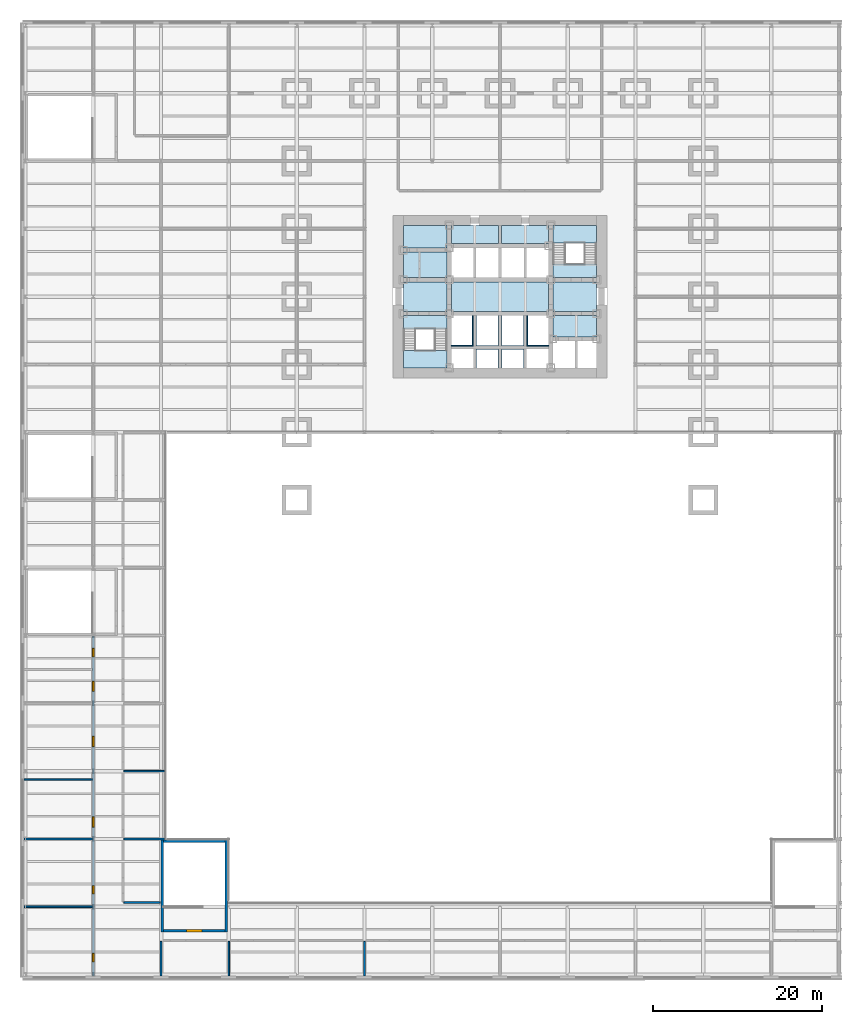
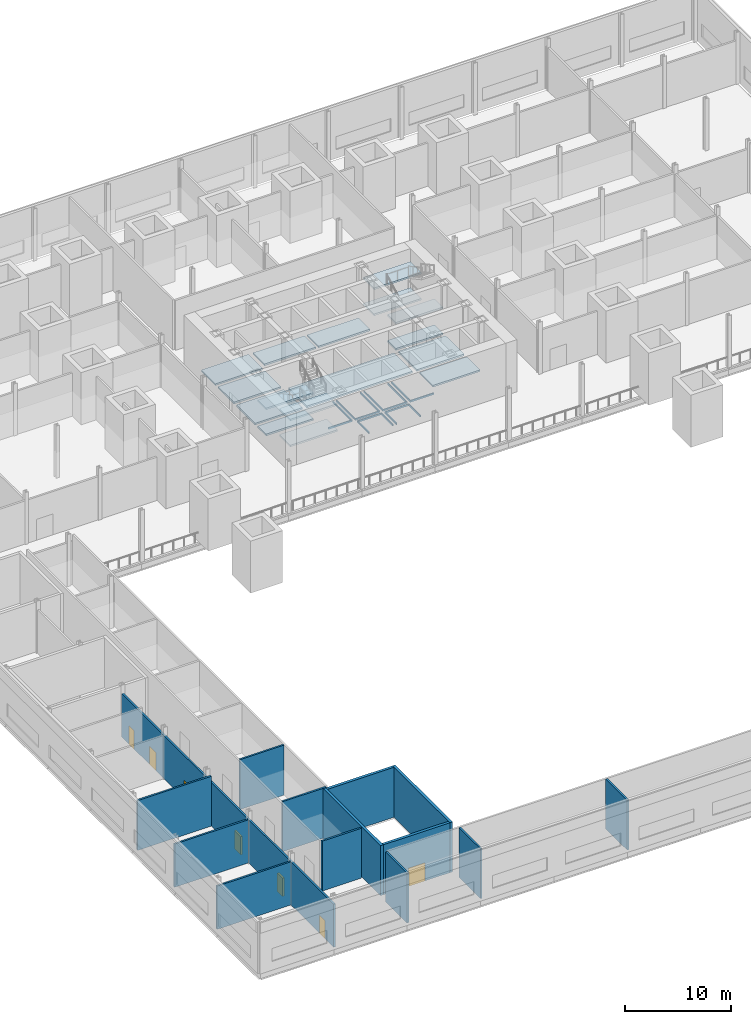
# One storey, part 10 of 21: 22 slabs, 14 walls, 7 doors, 7 openings, 2 elements without a shape of their own.
"""IFC4 building model written with IfcOpenShell, lengths in metres."""

from ifc_helpers import new_model, si_unit, direction, frame, frame_2d, origin, place, context, subcontext, project, spatial, polyline, rectangle, outline, extrude, material, layer, layer_set, type_object, element, fill, aggregate, save


model = new_model("IFC4")

# Units and contexts
model_context = context("Model", 3, precision=1e-05, world=origin(), true_north=direction((0.0, 1.0)))
body_context = subcontext(model_context, "Body", "Model", "MODEL_VIEW")
ifc_project = project(units=[si_unit("LENGTHUNIT", "METRE"), si_unit("AREAUNIT", "SQUARE_METRE"), si_unit("VOLUMEUNIT", "CUBIC_METRE"), si_unit("PLANEANGLEUNIT", "RADIAN"), si_unit("MASSUNIT", "GRAM", prefix="KILO")], contexts=[model_context])

# Site, building, storey
site_placement = place(None, origin())
site = spatial("IfcSite", under=ifc_project, at=site_placement, CompositionType="ELEMENT")
building_placement = place(site_placement, origin())
building = spatial("IfcBuilding", under=site, at=building_placement, Name="Daluyong Arena Tower", CompositionType="ELEMENT")
storey_placement = place(building_placement, frame((0.0, 0.0, 19.89990234375)))
storey = spatial("IfcBuildingStorey", under=building, at=storey_placement, Name="L04", CompositionType="ELEMENT", Elevation=19.89990234375)

# Slabs
ifc_material_1 = material(Name="Concrete fc' 35 MPa", Category="concrete")
ifc_layer_1 = layer(ifc_material_1, 0.199951171875)
ifc_layer_set_1 = layer_set([ifc_layer_1], Name="Concrete fc' 35 MPa")
slab_type_1 = type_object("IfcSlabType", Name="Podium floor slab 200", PredefinedType="FLOOR", material=ifc_layer_set_1)
slab_1_placement = place(storey_placement, frame((0.0, 0.0, -0.199951171875)))
element("IfcSlab", 1, at=slab_1_placement, inside=storey, type_object=slab_type_1, Name="podium floor L04 part 1", PredefinedType="FLOOR", context=body_context, shape_type="SweptSolid", body=[
    extrude(outline(polyline([(49.75, 76.175048828125), (49.75, 77.75), (44.60009765625, 77.75), (44.60009765625, 76.175048828125), (49.75, 76.175048828125)])), origin(), (0.0, 0.0, 1.0), 0.199951171875),
])
slab_2_placement = place(storey_placement, frame((0.0, 0.0, -0.199951171875)))
element("IfcSlab", 2, at=slab_2_placement, inside=storey, type_object=slab_type_1, Name="podium floor L04 part 2", PredefinedType="FLOOR", context=body_context, shape_type="SweptSolid", body=[
    extrude(outline(polyline([(49.75, 78.25), (49.75, 81.75), (44.60009765625, 81.75), (44.60009765625, 78.25), (49.75, 78.25)])), origin(), (0.0, 0.0, 1.0), 0.199951171875),
])
slab_3_placement = place(storey_placement, frame((0.0, 0.0, -0.199951171875)))
element("IfcSlab", 3, at=slab_3_placement, inside=storey, type_object=slab_type_1, Name="podium floor L04 part 3", PredefinedType="FLOOR", context=body_context, shape_type="SweptSolid", body=[
    extrude(outline(polyline([(49.75, 82.25), (49.75, 85.25), (44.60009765625, 85.25), (44.60009765625, 82.25), (49.75, 82.25)])), origin(), (0.0, 0.0, 1.0), 0.199951171875),
])
slab_4_placement = place(storey_placement, frame((0.0, 0.0, -0.199951171875)))
element("IfcSlab", 4, at=slab_4_placement, inside=storey, type_object=slab_type_1, Name="podium floor L04 part 4", PredefinedType="FLOOR", context=body_context, shape_type="SweptSolid", body=[
    extrude(outline(polyline([(44.60009765625, 88.39990234375), (44.60009765625, 85.75), (49.75, 85.75), (49.75, 88.39990234375), (44.60009765625, 88.39990234375)])), origin(), (0.0, 0.0, 1.0), 0.199951171875),
])
slab_5_placement = place(storey_placement, frame((0.0, 0.0, -0.199951171875)))
element("IfcSlab", 5, at=slab_5_placement, inside=storey, type_object=slab_type_1, Name="podium floor L04 part 5", PredefinedType="FLOOR", context=body_context, shape_type="SweptSolid", body=[
    extrude(outline(polyline([(50.25, 74.25), (50.25, 74.14990234375), (52.85009765625, 74.14990234375), (52.85009765625, 77.75), (52.75, 77.75), (52.75, 74.25), (50.25, 74.25)])), origin(), (0.0, 0.0, 1.0), 0.199951171875),
])
slab_6_placement = place(storey_placement, frame((0.0, 0.0, -0.199951171875)))
element("IfcSlab", 6, at=slab_6_placement, inside=storey, type_object=slab_type_1, Name="podium floor L04 part 6", PredefinedType="FLOOR", context=body_context, shape_type="SweptSolid", body=[
    extrude(outline(polyline([(50.25, 88.39990234375), (50.25, 86.25), (55.85009765625, 86.25), (55.85009765625, 88.39990234375), (50.25, 88.39990234375)])), origin(), (0.0, 0.0, 1.0), 0.199951171875),
])
slab_7_placement = place(storey_placement, frame((0.0, 0.0, -0.199951171875)))
element("IfcSlab", 7, at=slab_7_placement, inside=storey, type_object=slab_type_1, Name="podium floor L04 part 7", PredefinedType="FLOOR", context=body_context, shape_type="SweptSolid", body=[
    extrude(outline(polyline([(53.25, 73.75), (55.75, 73.75), (55.75, 71.60009765625), (55.85009765625, 71.60009765625), (55.85009765625, 73.85009765625), (53.14990234375, 73.85009765625), (53.14990234375, 71.60009765625), (53.25, 71.60009765625), (53.25, 73.75)])), origin(), (0.0, 0.0, 1.0), 0.199951171875),
])
slab_8_placement = place(storey_placement, frame((0.0, 0.0, -0.199951171875)))
element("IfcSlab", 8, at=slab_8_placement, inside=storey, type_object=slab_type_1, Name="podium floor L04 part 8", PredefinedType="FLOOR", context=body_context, shape_type="SweptSolid", body=[
    extrude(outline(polyline([(53.25, 74.25), (53.25, 77.75), (53.14990234375, 77.75), (53.14990234375, 74.14990234375), (55.85009765625, 74.14990234375), (55.85009765625, 77.75), (55.75, 77.75), (55.75, 74.25), (53.25, 74.25)])), origin(), (0.0, 0.0, 1.0), 0.199951171875),
])
slab_9_placement = place(storey_placement, frame((0.0, 0.0, -0.199951171875)))
element("IfcSlab", 9, at=slab_9_placement, inside=storey, type_object=slab_type_1, Name="podium floor L04 part 10", PredefinedType="FLOOR", context=body_context, shape_type="SweptSolid", body=[
    extrude(outline(polyline([(61.75, 81.75), (50.25, 81.75), (50.25, 78.25), (61.75, 78.25), (61.75, 81.75)])), origin(), (0.0, 0.0, 1.0), 0.199951171875),
])
slab_10_placement = place(storey_placement, frame((0.0, 0.0, -0.199951171875)))
element("IfcSlab", 10, at=slab_10_placement, inside=storey, type_object=slab_type_1, Name="podium floor L04 part 11", PredefinedType="FLOOR", context=body_context, shape_type="SweptSolid", body=[
    extrude(outline(polyline([(58.85009765625, 73.85009765625), (56.14990234375, 73.85009765625), (56.14990234375, 71.60009765625), (56.25, 71.60009765625), (56.25, 73.75), (58.75, 73.75), (58.75, 71.60009765625), (58.85009765625, 71.60009765625), (58.85009765625, 73.85009765625)])), origin(), (0.0, 0.0, 1.0), 0.199951171875),
])
slab_11_placement = place(storey_placement, frame((0.0, 0.0, -0.199951171875)))
element("IfcSlab", 11, at=slab_11_placement, inside=storey, type_object=slab_type_1, Name="podium floor L04 part 12", PredefinedType="FLOOR", context=body_context, shape_type="SweptSolid", body=[
    extrude(outline(polyline([(56.25, 74.25), (56.25, 77.75), (56.14990234375, 77.75), (56.14990234375, 74.14990234375), (58.85009765625, 74.14990234375), (58.85009765625, 77.75), (58.75, 77.75), (58.75, 74.25), (56.25, 74.25)])), origin(), (0.0, 0.0, 1.0), 0.199951171875),
])
slab_12_placement = place(storey_placement, frame((0.0, 0.0, -0.199951171875)))
element("IfcSlab", 12, at=slab_12_placement, inside=storey, type_object=slab_type_1, Name="podium floor L04 part 13", PredefinedType="FLOOR", context=body_context, shape_type="SweptSolid", body=[
    extrude(outline(polyline([(56.14990234375, 86.25), (61.75, 86.25), (61.75, 88.39990234375), (56.14990234375, 88.39990234375), (56.14990234375, 86.25)])), origin(), (0.0, 0.0, 1.0), 0.199951171875),
])
slab_13_placement = place(storey_placement, frame((0.0, 0.0, -0.199951171875)))
element("IfcSlab", 13, at=slab_13_placement, inside=storey, type_object=slab_type_1, Name="podium floor L04 part 14", PredefinedType="FLOOR", context=body_context, shape_type="SweptSolid", body=[
    extrude(outline(polyline([(59.14990234375, 74.14990234375), (61.75, 74.14990234375), (61.75, 74.25), (59.25, 74.25), (59.25, 77.75), (59.14990234375, 77.75), (59.14990234375, 74.14990234375)])), origin(), (0.0, 0.0, 1.0), 0.199951171875),
])
slab_14_placement = place(storey_placement, frame((0.0, 0.0, -0.199951171875)))
element("IfcSlab", 14, at=slab_14_placement, inside=storey, type_object=slab_type_1, Name="podium floor L04 part 15", PredefinedType="FLOOR", context=body_context, shape_type="SweptSolid", body=[
    extrude(outline(polyline([(67.39990234375, 82.25), (67.39990234375, 83.824951171875), (62.25, 83.824951171875), (62.25, 82.25), (67.39990234375, 82.25)])), origin(), (0.0, 0.0, 1.0), 0.199951171875),
])
slab_15_placement = place(storey_placement, frame((0.0, 0.0, -0.199951171875)))
element("IfcSlab", 15, at=slab_15_placement, inside=storey, type_object=slab_type_1, Name="podium floor L04 part 16", PredefinedType="FLOOR", context=body_context, shape_type="SweptSolid", body=[
    extrude(outline(polyline([(67.39990234375, 75.25), (67.39990234375, 77.75), (62.25, 77.75), (62.25, 75.25), (67.39990234375, 75.25)])), origin(), (0.0, 0.0, 1.0), 0.199951171875),
])
slab_16_placement = place(storey_placement, frame((0.0, 0.0, -0.199951171875)))
element("IfcSlab", 16, at=slab_16_placement, inside=storey, type_object=slab_type_1, Name="podium floor L04 part 17", PredefinedType="FLOOR", context=body_context, shape_type="SweptSolid", body=[
    extrude(outline(polyline([(67.39990234375, 78.25), (67.39990234375, 81.75), (62.25, 81.75), (62.25, 78.25), (67.39990234375, 78.25)])), origin(), (0.0, 0.0, 1.0), 0.199951171875),
])

# Stair, slabs
ifc_material_2 = material(Name="Concrete fc' 35 MPa", Category="concrete")
stair_type = type_object("IfcStairType", Name="Core exit stair", PredefinedType="HALF_TURN_STAIR", material=ifc_material_2)
stair_1_placement = place(storey_placement, origin())
stair_1 = element("IfcStair", 17, at=stair_1_placement, inside=storey, type_object=stair_type, Name="exit stair A L04", PredefinedType="HALF_TURN_STAIR")
ifc_material_3 = material(Name="Concrete fc' 35 MPa", Category="concrete")
ifc_layer_2 = layer(ifc_material_3, 0.199951171875)
ifc_layer_set_2 = layer_set([ifc_layer_2], Name="Concrete fc' 35 MPa")
slab_type_2 = type_object("IfcSlabType", Name="Stair landing 200", PredefinedType="LANDING", material=ifc_layer_set_2)
slab_17_placement = place(storey_placement, frame((0.0, 0.0, 1.300048828125)))
slab_17 = element("IfcSlab", 18, at=slab_17_placement, type_object=slab_type_2, Name="STA landing 1", PredefinedType="LANDING", context=body_context, shape_type="SweptSolid", body=[
    extrude(outline(polyline([(44.60009765625, 71.60009765625), (49.75, 71.60009765625), (49.75, 73.655029296875), (44.60009765625, 73.655029296875), (44.60009765625, 71.60009765625)])), origin(), (0.0, 0.0, 1.0), 0.199951171875),
])
slab_18_placement = place(storey_placement, frame((0.0, 0.0, 2.800048828125)))
slab_18 = element("IfcSlab", 19, at=slab_18_placement, type_object=slab_type_2, Name="STA landing 2", PredefinedType="LANDING", context=body_context, shape_type="SweptSolid", body=[
    extrude(outline(polyline([(44.60009765625, 76.175048828125), (49.75, 76.175048828125), (49.75, 77.75), (44.60009765625, 77.75), (44.60009765625, 76.175048828125)])), origin(), (0.0, 0.0, 1.0), 0.199951171875),
])
slab_19_placement = place(storey_placement, frame((0.0, 0.0, 4.300048828125)))
slab_19 = element("IfcSlab", 20, at=slab_19_placement, type_object=slab_type_2, Name="STA landing 3", PredefinedType="LANDING", context=body_context, shape_type="SweptSolid", body=[
    extrude(outline(polyline([(44.60009765625, 71.60009765625), (49.75, 71.60009765625), (49.75, 73.655029296875), (44.60009765625, 73.655029296875), (44.60009765625, 71.60009765625)])), origin(), (0.0, 0.0, 1.0), 0.199951171875),
])
aggregate(stair_1, [slab_17, slab_18, slab_19])

stair_2_placement = place(storey_placement, origin())
stair_2 = element("IfcStair", 21, at=stair_2_placement, inside=storey, type_object=stair_type, Name="exit stair B L04", PredefinedType="HALF_TURN_STAIR")
slab_20_placement = place(storey_placement, frame((0.0, 0.0, 1.300048828125)))
slab_20 = element("IfcSlab", 22, at=slab_20_placement, type_object=slab_type_2, Name="STB landing 1", PredefinedType="LANDING", context=body_context, shape_type="SweptSolid", body=[
    extrude(outline(polyline([(62.25, 86.344970703125), (67.39990234375, 86.344970703125), (67.39990234375, 88.39990234375), (62.25, 88.39990234375), (62.25, 86.344970703125)])), origin(), (0.0, 0.0, 1.0), 0.199951171875),
])
slab_21_placement = place(storey_placement, frame((0.0, 0.0, 2.800048828125)))
slab_21 = element("IfcSlab", 23, at=slab_21_placement, type_object=slab_type_2, Name="STB landing 2", PredefinedType="LANDING", context=body_context, shape_type="SweptSolid", body=[
    extrude(outline(polyline([(62.25, 82.25), (67.39990234375, 82.25), (67.39990234375, 83.824951171875), (62.25, 83.824951171875), (62.25, 82.25)])), origin(), (0.0, 0.0, 1.0), 0.199951171875),
])
slab_22_placement = place(storey_placement, frame((0.0, 0.0, 4.300048828125)))
slab_22 = element("IfcSlab", 24, at=slab_22_placement, type_object=slab_type_2, Name="STB landing 3", PredefinedType="LANDING", context=body_context, shape_type="SweptSolid", body=[
    extrude(outline(polyline([(62.25, 86.344970703125), (67.39990234375, 86.344970703125), (67.39990234375, 88.39990234375), (62.25, 88.39990234375), (62.25, 86.344970703125)])), origin(), (0.0, 0.0, 1.0), 0.199951171875),
])
aggregate(stair_2, [slab_20, slab_21, slab_22])

# Walls
ifc_material_4 = material(Name="Concrete block partition", Category="concrete")
ifc_layer_3 = layer(ifc_material_4, 0.199951171875)
ifc_layer_set_3 = layer_set([ifc_layer_3], Name="Concrete block partition")
wall_type_1 = type_object("IfcWallType", Name="Partition 200", PredefinedType="PARTITIONING", material=ifc_layer_set_3)
wall_1_placement = place(storey_placement, frame((-0.14990234375, 8.0, 0.0), z_axis=(0.0, 0.0, 1.0), x_axis=(1.0, 0.0, 0.0)))
element("IfcWall", 25, at=wall_1_placement, inside=storey, type_object=wall_type_1, Name="partition at L04", PredefinedType="PARTITIONING", context=body_context, shape_type="SweptSolid", body=[
    extrude(rectangle(XDim=8.0498046875, YDim=0.199951171875, at=frame_2d((4.02490234375, 0.0))), origin(), (0.0, 0.0, 1.0), 4.977783203125),
])
wall_2_placement = place(storey_placement, frame((11.60009765625, 8.5, 0.0), z_axis=(0.0, 0.0, 1.0), x_axis=(1.0, 0.0, 0.0)))
element("IfcWall", 26, at=wall_2_placement, inside=storey, type_object=wall_type_1, Name="partition at L04", PredefinedType="PARTITIONING", context=body_context, shape_type="SweptSolid", body=[
    extrude(rectangle(XDim=4.2998046875, YDim=0.199951171875, at=frame_2d((2.14990234375, 0.0))), origin(), (0.0, 0.0, 1.0), 5.75),
])
wall_3_placement = place(storey_placement, frame((-0.14990234375, 16.0, 0.0), z_axis=(0.0, 0.0, 1.0), x_axis=(1.0, 0.0, 0.0)))
element("IfcWall", 27, at=wall_3_placement, inside=storey, type_object=wall_type_1, Name="partition at L04", PredefinedType="PARTITIONING", context=body_context, shape_type="SweptSolid", body=[
    extrude(rectangle(XDim=8.0498046875, YDim=0.199951171875, at=frame_2d((4.02490234375, 0.0))), origin(), (0.0, 0.0, 1.0), 4.977783203125),
])
wall_4_placement = place(storey_placement, frame((11.60009765625, 16.0, 0.0), z_axis=(0.0, 0.0, 1.0), x_axis=(1.0, 0.0, 0.0)))
element("IfcWall", 28, at=wall_4_placement, inside=storey, type_object=wall_type_1, Name="partition at L04", PredefinedType="PARTITIONING", context=body_context, shape_type="SweptSolid", body=[
    extrude(rectangle(XDim=4.7998046875, YDim=0.199951171875, at=frame_2d((2.39990234375, 0.0))), origin(), (0.0, 0.0, 1.0), 5.75),
])
wall_5_placement = place(storey_placement, frame((-0.14990234375, 23.0, 0.0), z_axis=(0.0, 0.0, 1.0), x_axis=(1.0, 0.0, 0.0)))
element("IfcWall", 29, at=wall_5_placement, inside=storey, type_object=wall_type_1, Name="partition at L04", PredefinedType="PARTITIONING", context=body_context, shape_type="SweptSolid", body=[
    extrude(rectangle(XDim=8.0498046875, YDim=0.199951171875, at=frame_2d((4.02490234375, 0.0))), origin(), (0.0, 0.0, 1.0), 5.75),
])
wall_6_placement = place(storey_placement, frame((11.60009765625, 24.0, 0.0), z_axis=(0.0, 0.0, 1.0), x_axis=(1.0, 0.0, 0.0)))
element("IfcWall", 30, at=wall_6_placement, inside=storey, type_object=wall_type_1, Name="partition at L04", PredefinedType="PARTITIONING", context=body_context, shape_type="SweptSolid", body=[
    extrude(rectangle(XDim=4.7998046875, YDim=0.199951171875, at=frame_2d((2.39990234375, 0.0))), origin(), (0.0, 0.0, 1.0), 5.75),
])

# Wall, openings, doors
wall_7_placement = place(storey_placement, frame((8.0, -0.14990234375, 0.0), z_axis=(0.0, 0.0, 1.0), x_axis=(0.0, 1.0, 0.0)))
wall_7 = element("IfcWall", 31, at=wall_7_placement, inside=storey, type_object=wall_type_1, Name="partition at L04", PredefinedType="PARTITIONING", context=body_context, shape_type="SweptSolid", body=[
    extrude(rectangle(XDim=40.0498046875, YDim=0.199951171875, at=frame_2d((20.02490234375, 0.0))), origin(), (0.0, 0.0, 1.0), 4.977783203125),
])
opening_1_placement = place(wall_7_placement, frame((17.550048828125, 0.0, 0.0)))
opening_1 = element("IfcOpeningElement", 32, at=opening_1_placement, cuts=wall_7, Name="Opening 04023", PredefinedType="OPENING", context=body_context, shape_type="SweptSolid", body=[
    extrude(rectangle(XDim=1.199951171875, YDim=2.10009765625, at=frame_2d((0.60009765625, 1.050048828125))), frame((0.0, 0.10986328125, 0.0), z_axis=(0.0, -1.0, 0.0), x_axis=(1.0, 0.0, 0.0)), (0.0, 0.0, 1.0), 0.219970703125),
])
opening_2_placement = place(wall_7_placement, frame((27.050048828125, 0.0, 0.0)))
opening_2 = element("IfcOpeningElement", 33, at=opening_2_placement, cuts=wall_7, Name="Opening 04024", PredefinedType="OPENING", context=body_context, shape_type="SweptSolid", body=[
    extrude(rectangle(XDim=1.199951171875, YDim=2.10009765625, at=frame_2d((0.60009765625, 1.050048828125))), frame((0.0, 0.10986328125, 0.0), z_axis=(0.0, -1.0, 0.0), x_axis=(1.0, 0.0, 0.0)), (0.0, 0.0, 1.0), 0.219970703125),
])
opening_3_placement = place(wall_7_placement, frame((33.550048828125, 0.0, 0.0)))
opening_3 = element("IfcOpeningElement", 34, at=opening_3_placement, cuts=wall_7, Name="Opening 04025", PredefinedType="OPENING", context=body_context, shape_type="SweptSolid", body=[
    extrude(rectangle(XDim=1.199951171875, YDim=2.10009765625, at=frame_2d((0.60009765625, 1.050048828125))), frame((0.0, 0.10986328125, 0.0), z_axis=(0.0, -1.0, 0.0), x_axis=(1.0, 0.0, 0.0)), (0.0, 0.0, 1.0), 0.219970703125),
])
opening_4_placement = place(wall_7_placement, frame((1.64990234375, 0.0, 0.0)))
opening_4 = element("IfcOpeningElement", 35, at=opening_4_placement, cuts=wall_7, Name="Opening 04029", PredefinedType="OPENING", context=body_context, shape_type="SweptSolid", body=[
    extrude(rectangle(XDim=1.0, YDim=2.10009765625, at=frame_2d((0.5, 1.050048828125))), frame((0.0, 0.10986328125, 0.0), z_axis=(0.0, -1.0, 0.0), x_axis=(1.0, 0.0, 0.0)), (0.0, 0.0, 1.0), 0.219970703125),
])
opening_5_placement = place(wall_7_placement, frame((9.64990234375, 0.0, 0.0)))
opening_5 = element("IfcOpeningElement", 36, at=opening_5_placement, cuts=wall_7, Name="Opening 04039", PredefinedType="OPENING", context=body_context, shape_type="SweptSolid", body=[
    extrude(rectangle(XDim=1.0, YDim=2.10009765625, at=frame_2d((0.5, 1.050048828125))), frame((0.0, 0.10986328125, 0.0), z_axis=(0.0, -1.0, 0.0), x_axis=(1.0, 0.0, 0.0)), (0.0, 0.0, 1.0), 0.219970703125),
])
opening_6_placement = place(wall_7_placement, frame((37.64990234375, 0.0, 0.0)))
opening_6 = element("IfcOpeningElement", 37, at=opening_6_placement, cuts=wall_7, Name="Opening 04041", PredefinedType="OPENING", context=body_context, shape_type="SweptSolid", body=[
    extrude(rectangle(XDim=1.0, YDim=2.10009765625, at=frame_2d((0.5, 1.050048828125))), frame((0.0, 0.10986328125, 0.0), z_axis=(0.0, -1.0, 0.0), x_axis=(1.0, 0.0, 0.0)), (0.0, 0.0, 1.0), 0.219970703125),
])
ifc_material_5 = material(Name="Timber door", Category="wood")
door_type_1 = type_object("IfcDoorType", Name="Room door 1000", OperationType="SINGLE_SWING_LEFT", PredefinedType="DOOR", material=ifc_material_5)
door_1_placement = place(opening_4_placement, origin())
door_1 = element("IfcDoor", 38, at=door_1_placement, inside=storey, type_object=door_type_1, Name="food and beverage kiosk door 04029", OperationType="SINGLE_SWING_LEFT", OverallHeight=2.10009765625, OverallWidth=1.0, PredefinedType="DOOR", context=body_context, shape_type="SweptSolid", body=[
    extrude(rectangle(XDim=1.0, YDim=2.10009765625, at=frame_2d((0.5, 1.050048828125))), frame((0.0, 0.099609375, 0.0), z_axis=(0.0, -1.0, 0.0), x_axis=(1.0, 0.0, 0.0)), (0.0, 0.0, 1.0), 0.199462890625),
])
fill(opening_4, door_1)
door_2_placement = place(opening_5_placement, origin())
door_2 = element("IfcDoor", 39, at=door_2_placement, inside=storey, type_object=door_type_1, Name="food and beverage kiosk door 04039", OperationType="SINGLE_SWING_LEFT", OverallHeight=2.10009765625, OverallWidth=1.0, PredefinedType="DOOR", context=body_context, shape_type="SweptSolid", body=[
    extrude(rectangle(XDim=1.0, YDim=2.10009765625, at=frame_2d((0.5, 1.050048828125))), frame((0.0, 0.099609375, 0.0), z_axis=(0.0, -1.0, 0.0), x_axis=(1.0, 0.0, 0.0)), (0.0, 0.0, 1.0), 0.199462890625),
])
fill(opening_5, door_2)
door_3_placement = place(opening_6_placement, origin())
door_3 = element("IfcDoor", 40, at=door_3_placement, inside=storey, type_object=door_type_1, Name="food and beverage kiosk door 04041", OperationType="SINGLE_SWING_LEFT", OverallHeight=2.10009765625, OverallWidth=1.0, PredefinedType="DOOR", context=body_context, shape_type="SweptSolid", body=[
    extrude(rectangle(XDim=1.0, YDim=2.10009765625, at=frame_2d((0.5, 1.050048828125))), frame((0.0, 0.099609375, 0.0), z_axis=(0.0, -1.0, 0.0), x_axis=(1.0, 0.0, 0.0)), (0.0, 0.0, 1.0), 0.199462890625),
])
fill(opening_6, door_3)
ifc_material_6 = material(Name="Timber door", Category="wood")
door_type_2 = type_object("IfcDoorType", Name="Toilet entry door 1200", OperationType="SINGLE_SWING_RIGHT", PredefinedType="DOOR", material=ifc_material_6)
door_4_placement = place(opening_1_placement, origin())
door_4 = element("IfcDoor", 41, at=door_4_placement, inside=storey, type_object=door_type_2, Name="male toilet door 04023", OperationType="SINGLE_SWING_RIGHT", OverallHeight=2.10009765625, OverallWidth=1.199951171875, PredefinedType="DOOR", context=body_context, shape_type="SweptSolid", body=[
    extrude(rectangle(XDim=1.199951171875, YDim=2.10009765625, at=frame_2d((0.60009765625, 1.050048828125))), frame((0.0, 0.099609375, 0.0), z_axis=(0.0, -1.0, 0.0), x_axis=(1.0, 0.0, 0.0)), (0.0, 0.0, 1.0), 0.199462890625),
])
fill(opening_1, door_4)
door_5_placement = place(opening_2_placement, origin())
door_5 = element("IfcDoor", 42, at=door_5_placement, inside=storey, type_object=door_type_2, Name="female toilet door 04024", OperationType="SINGLE_SWING_RIGHT", OverallHeight=2.10009765625, OverallWidth=1.199951171875, PredefinedType="DOOR", context=body_context, shape_type="SweptSolid", body=[
    extrude(rectangle(XDim=1.199951171875, YDim=2.10009765625, at=frame_2d((0.60009765625, 1.050048828125))), frame((0.0, 0.099609375, 0.0), z_axis=(0.0, -1.0, 0.0), x_axis=(1.0, 0.0, 0.0)), (0.0, 0.0, 1.0), 0.199462890625),
])
fill(opening_2, door_5)
door_6_placement = place(opening_3_placement, origin())
door_6 = element("IfcDoor", 43, at=door_6_placement, inside=storey, type_object=door_type_2, Name="accessible toilet door 04025", OperationType="SINGLE_SWING_RIGHT", OverallHeight=2.10009765625, OverallWidth=1.199951171875, PredefinedType="DOOR", context=body_context, shape_type="SweptSolid", body=[
    extrude(rectangle(XDim=1.199951171875, YDim=2.10009765625, at=frame_2d((0.60009765625, 1.050048828125))), frame((0.0, 0.099609375, 0.0), z_axis=(0.0, -1.0, 0.0), x_axis=(1.0, 0.0, 0.0)), (0.0, 0.0, 1.0), 0.199462890625),
])
fill(opening_3, door_6)

# Walls
for number, where, z_axis, x_axis, name in (
    (44, (16.0, -0.14990234375, 0.0), (0.0, 0.0, 1.0), (0.0, 1.0, 0.0), "partition at L04"),
    (45, (24.0, -0.14990234375, 0.0), (0.0, 0.0, 1.0), (0.0, 1.0, 0.0), "partition at L04"),
    (46, (40.0, -0.14990234375, 0.0), (0.0, 0.0, 1.0), (0.0, 1.0, 0.0), "partition at L04"),
):
    element("IfcWall", number, at=place(storey_placement, frame(where, z_axis=z_axis, x_axis=x_axis)), inside=storey, type_object=wall_type_1, Name=name, PredefinedType="PARTITIONING", context=body_context, shape_type="SweptSolid", body=[
        extrude(rectangle(XDim=4.0498046875, YDim=0.199951171875, at=frame_2d((2.02490234375, 0.0))), origin(), (0.0, 0.0, 1.0), 5.75),
    ])
ifc_material_7 = material(Name="Concrete fc' 35 MPa", Category="concrete")
ifc_layer_4 = layer(ifc_material_7, 0.300048828125)
ifc_layer_set_4 = layer_set([ifc_layer_4], Name="Concrete fc' 35 MPa")
wall_type_2 = type_object("IfcWallType", Name="Stair enclosure wall 300", PredefinedType="SOLIDWALL", material=ifc_layer_set_4)
for number, where, z_axis, x_axis, name in (
    (47, (16.14990234375, 5.0, 0.0), (0.0, 0.0, 1.0), (0.0, 1.0, 0.0), "exit stair PS1 enclosure"),
    (48, (23.699951171875, 5.0, 0.0), (0.0, 0.0, 1.0), (0.0, 1.0, 0.0), "exit stair PS1 enclosure"),
):
    element("IfcWall", number, at=place(storey_placement, frame(where, z_axis=z_axis, x_axis=x_axis)), inside=storey, type_object=wall_type_2, Name=name, PredefinedType="SOLIDWALL", context=body_context, shape_type="SweptSolid", body=[
        extrude(rectangle(XDim=10.85009765625, YDim=0.300048828125, at=frame_2d((5.425048828125, 0.0))), origin(), (0.0, 0.0, 1.0), 5.75),
    ])

# Wall, opening, door
wall_8_placement = place(storey_placement, frame((16.300048828125, 5.14990234375, 0.0), z_axis=(0.0, 0.0, 1.0), x_axis=(1.0, 0.0, 0.0)))
wall_8 = element("IfcWall", 49, at=wall_8_placement, inside=storey, type_object=wall_type_2, Name="exit stair PS1 enclosure", PredefinedType="SOLIDWALL", context=body_context, shape_type="SweptSolid", body=[
    extrude(rectangle(XDim=7.25, YDim=0.300048828125, at=frame_2d((3.625, 0.0))), origin(), (0.0, 0.0, 1.0), 5.75),
])
opening_7_placement = place(wall_8_placement, frame((2.72509765625, 0.0, 0.0)))
opening_7 = element("IfcOpeningElement", 50, at=opening_7_placement, cuts=wall_8, Name="Opening 04015", PredefinedType="OPENING", context=body_context, shape_type="SweptSolid", body=[
    extrude(rectangle(XDim=1.800048828125, YDim=2.10009765625, at=frame_2d((0.89990234375, 1.050048828125))), frame((0.0, 0.159912109375, 0.0), z_axis=(0.0, -1.0, 0.0), x_axis=(1.0, 0.0, 0.0)), (0.0, 0.0, 1.0), 0.320068359375),
])
ifc_material_8 = material(Name="Steel door, fire rated", Category="steel")
door_type_3 = type_object("IfcDoorType", Name="Exit stair double door 1800", OperationType="DOUBLE_DOOR_SINGLE_SWING", PredefinedType="DOOR", material=ifc_material_8)
door_7_placement = place(opening_7_placement, origin())
door_7 = element("IfcDoor", 51, at=door_7_placement, inside=storey, type_object=door_type_3, Name="exit stair PS1 door 04015", OperationType="DOUBLE_DOOR_SINGLE_SWING", OverallHeight=2.10009765625, OverallWidth=1.800048828125, PredefinedType="DOOR", context=body_context, shape_type="SweptSolid", body=[
    extrude(rectangle(XDim=1.800048828125, YDim=2.10009765625, at=frame_2d((0.89990234375, 1.050048828125))), frame((0.0, 0.14990234375, 0.0), z_axis=(0.0, -1.0, 0.0), x_axis=(1.0, 0.0, 0.0)), (0.0, 0.0, 1.0), 0.299560546875),
])
fill(opening_7, door_7)

# Wall
wall_9_placement = place(storey_placement, frame((16.300048828125, 15.699951171875, 0.0), z_axis=(0.0, 0.0, 1.0), x_axis=(1.0, 0.0, 0.0)))
element("IfcWall", 52, at=wall_9_placement, inside=storey, type_object=wall_type_2, Name="exit stair PS1 enclosure", PredefinedType="SOLIDWALL", context=body_context, shape_type="SweptSolid", body=[
    extrude(rectangle(XDim=7.25, YDim=0.300048828125, at=frame_2d((3.625, 0.0))), origin(), (0.0, 0.0, 1.0), 5.75),
])

save(model, "model.ifc")
